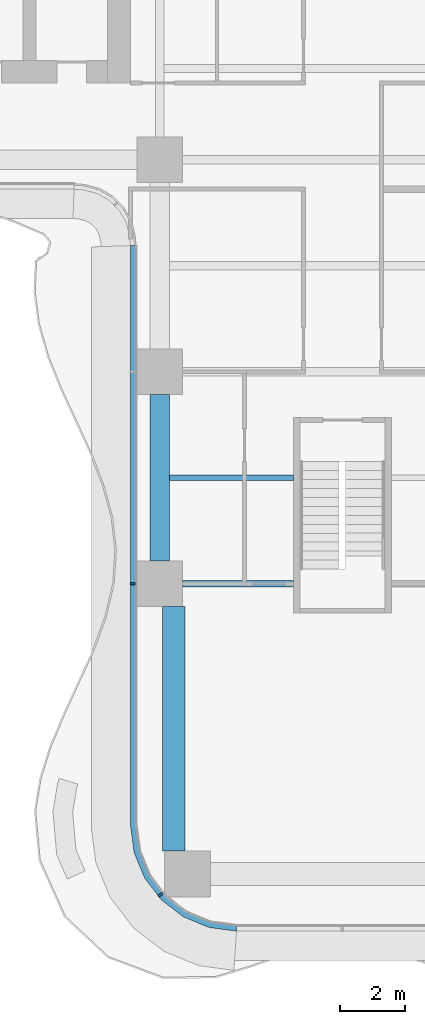
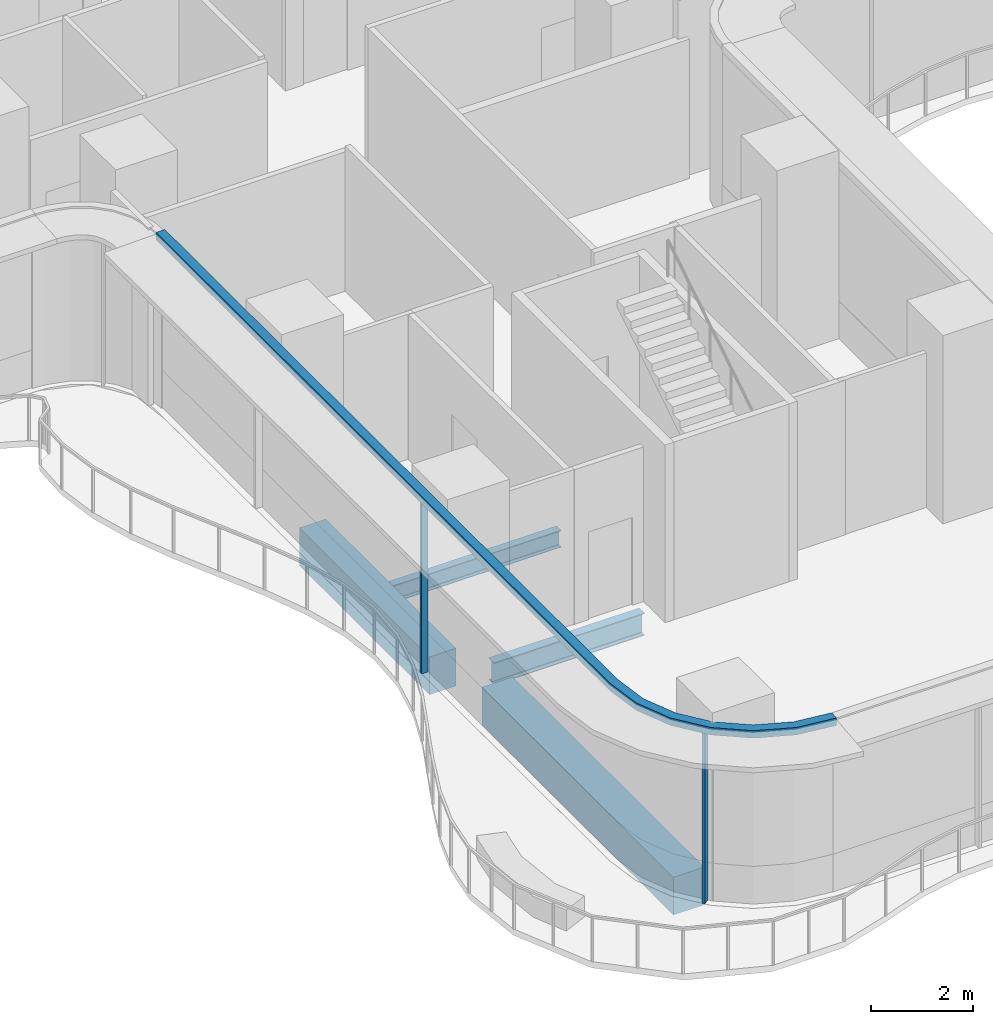
# One storey, part 2 of 22: 4 beams, 3 members, 1 element without a shape of its own.
"""IFC4 building model written with IfcOpenShell, lengths in metres."""

from ifc_helpers import new_model, si_unit, direction, frame, origin, origin_2d, place, context, subcontext, project, spatial, polyline, rectangle, i_section, outline, extrude, source, transform, mapped, material, layer, layer_set, material_profile, profile_set, type_object, element, aggregate, save


model = new_model("IFC4")

# Units and contexts
model_context = context("Model", 3, precision=1e-05, world=origin(), true_north=direction((0.0, 1.0)))
body_context = subcontext(model_context, "Body", "Model", "MODEL_VIEW")
ifc_project = project(units=[si_unit("LENGTHUNIT", "METRE"), si_unit("AREAUNIT", "SQUARE_METRE"), si_unit("VOLUMEUNIT", "CUBIC_METRE"), si_unit("PLANEANGLEUNIT", "RADIAN"), si_unit("MASSUNIT", "GRAM", prefix="KILO")], contexts=[model_context])

# Site, building, storey
site_placement = place(None, origin())
site = spatial("IfcSite", under=ifc_project, at=site_placement, CompositionType="ELEMENT")
building_placement = place(site_placement, origin())
building = spatial("IfcBuilding", under=site, at=building_placement, Name="Trellis Farm Tower", CompositionType="ELEMENT")
storey_placement = place(building_placement, frame((0.0, 0.0, 43.0)))
storey = spatial("IfcBuildingStorey", under=building, at=storey_placement, Name="L08", CompositionType="ELEMENT", Elevation=43.0)

# Beams
ifc_material_1 = material(Name="Steel S355", Category="steel")
ifc_material_profile_1 = material_profile(ifc_material_1, i_section(OverallWidth=0.209228515625, OverallDepth=0.533203125, WebThickness=0.010009765625, FlangeThickness=0.015625, FilletRadius=0.0126953125, at=origin_2d()), Name="UB 533x210x92")
ifc_profile_set_1 = profile_set([ifc_material_profile_1], Name="Steel S355")
beam_type_1 = type_object("IfcBeamType", Name="UB 533x210x92", PredefinedType="BEAM", material=ifc_profile_set_1)
shared_shape_1 = source(origin(), body_context, "Body", "SweptSolid", [
    extrude(i_section(OverallWidth=0.209228515625, OverallDepth=0.533203125, WebThickness=0.010009765625, FlangeThickness=0.015625, FilletRadius=0.0126953125, at=origin_2d()), origin(), (0.0, 0.0, 1.0), 3.39990234375),
])
beam_1_placement = place(storey_placement, frame((-4.89990234375, -18.60009765625, -0.5166015625), z_axis=(1.0, 0.0, 0.0), x_axis=(0.0, 1.0, 0.0)))
element("IfcBeam", 1, at=beam_1_placement, inside=storey, type_object=beam_type_1, Name="Girder", PredefinedType="BEAM", context=body_context, shape_type="MappedRepresentation", body=[
    mapped(shared_shape_1, transform((0.0, 0.0, 0.0))),
])
ifc_material_2 = material(Name="Concrete C60/75", Category="concrete")
ifc_material_profile_2 = material_profile(ifc_material_2, rectangle(XDim=0.60009765625, YDim=0.89990234375, at=origin_2d()), Name="RC spandrel beam 600x900 C60/75")
ifc_profile_set_2 = profile_set([ifc_material_profile_2], Name="Concrete C60/75")
beam_type_2 = type_object("IfcBeamType", Name="RC spandrel beam 600x900 C60/75", PredefinedType="SPANDREL", material=ifc_profile_set_2)
shared_shape_2 = source(origin(), body_context, "Body", "SweptSolid", [
    extrude(rectangle(XDim=0.60009765625, YDim=0.89990234375, at=origin_2d()), origin(), (0.0, 0.0, 1.0), 5.099853515625),
])
beam_2_placement = place(storey_placement, frame((-5.60009765625, -17.89990234375, -0.699951171875), z_axis=(0.0, 1.0, 0.0), x_axis=(-1.0, 0.0, 0.0)))
element("IfcBeam", 2, at=beam_2_placement, inside=storey, type_object=beam_type_2, Name="Girder", PredefinedType="SPANDREL", context=body_context, shape_type="MappedRepresentation", body=[
    mapped(shared_shape_2, transform((0.0, 0.0, 0.0))),
])
ifc_material_profile_3 = material_profile(ifc_material_2, rectangle(XDim=0.699951171875, YDim=0.89990234375, at=origin_2d()), Name="RC spandrel beam 700x900 C60/75")
ifc_profile_set_3 = profile_set([ifc_material_profile_3], Name="Concrete C60/75")
beam_type_3 = type_object("IfcBeamType", Name="RC spandrel beam 700x900 C60/75", PredefinedType="SPANDREL", material=ifc_profile_set_3)
shared_shape_3 = source(origin(), body_context, "Body", "SweptSolid", [
    extrude(rectangle(XDim=0.699951171875, YDim=0.89990234375, at=origin_2d()), origin(), (0.0, 0.0, 1.0), 7.5),
])
beam_3_placement = place(storey_placement, frame((-5.175048828125, -26.800048828125, -0.699951171875), z_axis=(0.0, 1.0, 0.0), x_axis=(-1.0, 0.0, 0.0)))
element("IfcBeam", 3, at=beam_3_placement, inside=storey, type_object=beam_type_3, Name="Girder", PredefinedType="SPANDREL", context=body_context, shape_type="MappedRepresentation", body=[
    mapped(shared_shape_3, transform((0.0, 0.0, 0.0))),
])
ifc_material_profile_4 = material_profile(ifc_material_1, i_section(OverallWidth=0.177978515625, OverallDepth=0.406494140625, WebThickness=0.0078125, FlangeThickness=0.0126953125, FilletRadius=0.01025390625, at=origin_2d()), Name="UB 406x178x60")
ifc_profile_set_4 = profile_set([ifc_material_profile_4], Name="Steel S355")
beam_type_4 = type_object("IfcBeamType", Name="UB 406x178x60 joist", PredefinedType="JOIST", material=ifc_profile_set_4)
shared_shape_4 = source(origin(), body_context, "Body", "SweptSolid", [
    extrude(i_section(OverallWidth=0.177978515625, OverallDepth=0.406494140625, WebThickness=0.0078125, FlangeThickness=0.0126953125, FilletRadius=0.01025390625, at=origin_2d()), origin(), (0.0, 0.0, 1.0), 3.800048828125),
])
beam_4_placement = place(storey_placement, frame((-5.300048828125, -15.35009765625, -0.453125), z_axis=(1.0, 0.0, 0.0), x_axis=(0.0, 1.0, 0.0)))
element("IfcBeam", 4, at=beam_4_placement, inside=storey, type_object=beam_type_4, Name="Floor beam", PredefinedType="JOIST", context=body_context, shape_type="MappedRepresentation", body=[
    mapped(shared_shape_4, transform((0.0, 0.0, 0.0))),
])

# Curtain wall, members
ifc_material_3 = material(Name="Aluminium and glass curtain wall", Category="aluminium")
ifc_layer_1 = layer(ifc_material_3, 0.18994140625)
ifc_layer_set_1 = layer_set([ifc_layer_1], Name="RIBBON CURTAIN WALL CW1")
curtain_wall_type = type_object("IfcCurtainWallType", Name="RIBBON CURTAIN WALL CW1", PredefinedType="NOTDEFINED", material=ifc_layer_set_1)
curtain_wall_placement = place(storey_placement, origin())
curtain_wall = element("IfcCurtainWall", 5, at=curtain_wall_placement, inside=storey, type_object=curtain_wall_type, Name="CW1 002", PredefinedType="NOTDEFINED")
ifc_material_4 = material(Name="Aluminium extrusion 6063-T6", Category="aluminium")
ifc_material_profile_5 = material_profile(ifc_material_4, rectangle(XDim=0.06005859375, YDim=0.14990234375, at=origin_2d()), Name="MULLION 60x150")
ifc_profile_set_5 = profile_set([ifc_material_profile_5], Name="Aluminium extrusion 6063-T6")
member_type_1 = type_object("IfcMemberType", Name="CW1 MULLION 60x150", PredefinedType="MULLION", material=ifc_profile_set_5)
shared_shape_5 = source(origin(), body_context, "Body", "SweptSolid", [
    extrude(rectangle(XDim=0.06005859375, YDim=0.14990234375, at=origin_2d()), origin(), (0.0, 0.0, 1.0), 4.070068359375),
])
member_1_placement = place(storey_placement, frame((-6.425048828125, -18.60009765625, 0.0), z_axis=(0.0, 0.0, 1.0), x_axis=(0.0, -1.0, 0.0)))
member_1 = element("IfcMember", 6, at=member_1_placement, type_object=member_type_1, Name="MU1 002-02", PredefinedType="MULLION", context=body_context, shape_type="MappedRepresentation", body=[
    mapped(shared_shape_5, transform((0.0, 0.0, 0.0))),
])
member_2_placement = place(storey_placement, frame((-5.578369140625, -28.135498046875, 0.0), z_axis=(0.0, 0.0, 1.0), x_axis=(0.608761429009, -0.793353340291, 0.0)))
member_2 = element("IfcMember", 7, at=member_2_placement, type_object=member_type_1, Name="MU1 002-03", PredefinedType="MULLION", context=body_context, shape_type="MappedRepresentation", body=[
    mapped(shared_shape_5, transform((0.0, 0.0, 0.0))),
])
ifc_layer_2 = layer(ifc_material_4, 0.199951171875)
ifc_layer_set_2 = layer_set([ifc_layer_2], Name="Aluminium extrusion 6063-T6")
member_type_2 = type_object("IfcMemberType", Name="CW1 TRANSOM 200x180", PredefinedType="USERDEFINED", material=ifc_layer_set_2)
shared_shape_6 = source(origin(), body_context, "Body", "SweptSolid", [
    extrude(outline(polyline([(-6.5, -8.2314453125), (-6.5, -26.0), (-6.38916015625, -26.841064453125), (-6.064697265625, -27.625), (-5.548095703125, -28.298095703125), (-4.875, -28.814697265625), (-4.091064453125, -29.13916015625), (-3.25, -29.25), (-3.23681640625, -29.050048828125), (-4.0390625, -28.9443359375), (-4.774169921875, -28.639892578125), (-5.405517578125, -28.155517578125), (-5.889892578125, -27.524169921875), (-6.1943359375, -26.7890625), (-6.300048828125, -25.98681640625), (-6.300048828125, -8.224853515625), (-6.5, -8.2314453125)])), origin(), (0.0, 0.0, 1.0), 0.179931640625),
])
member_3_placement = place(storey_placement, frame((0.0, 0.0, 4.070068359375)))
member_3 = element("IfcMember", 8, at=member_3_placement, type_object=member_type_2, Name="TR1 002", ObjectType="TRANSOM", PredefinedType="USERDEFINED", context=body_context, shape_type="MappedRepresentation", body=[
    mapped(shared_shape_6, transform((0.0, 0.0, 0.0))),
])
aggregate(curtain_wall, [member_1, member_2, member_3])

save(model, "model.ifc")
